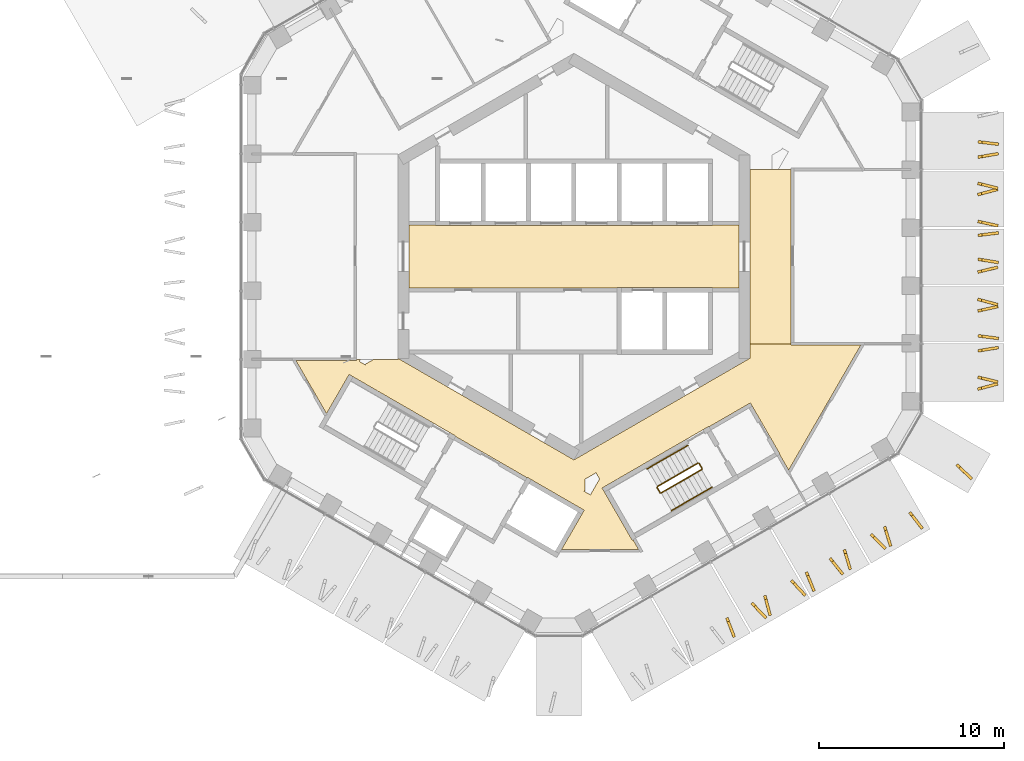
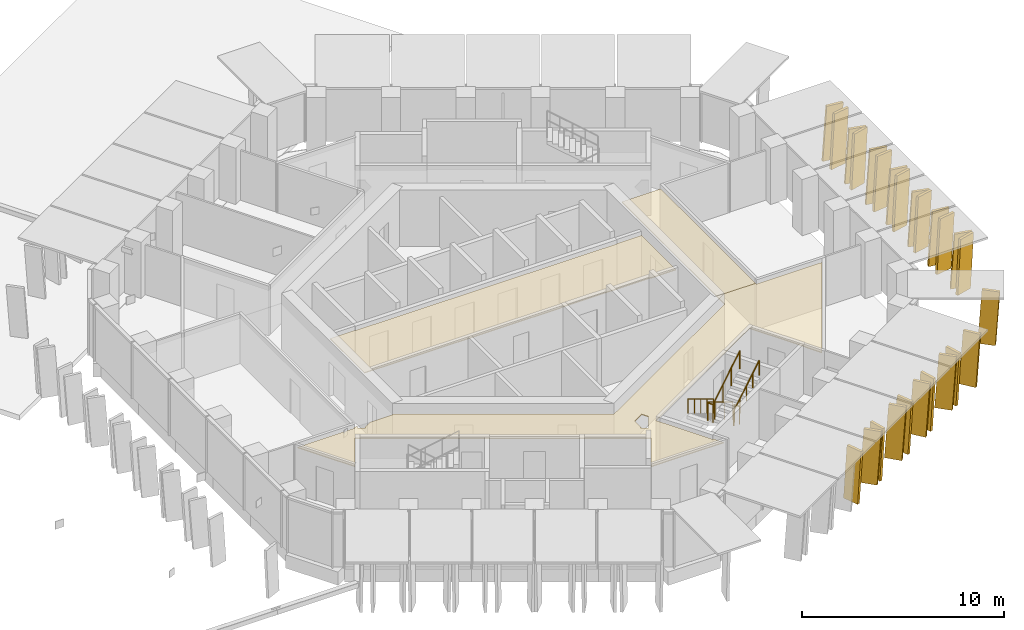
# One storey, part 21 of 23: 25 shading devices, 8 railings, 3 coverings.
"""IFC4 building model written with IfcOpenShell, lengths in metres."""

from ifc_helpers import new_model, si_unit, direction, frame, origin, origin_2d, place, context, subcontext, project, spatial, polyline, circle, outline, extrude, material, layer, layer_set, type_object, element, save


model = new_model("IFC4")

# Units and contexts
model_context = context("Model", 3, precision=1e-05, world=origin(), true_north=direction((0.0, 1.0)))
body_context = subcontext(model_context, "Body", "Model", "MODEL_VIEW")
ifc_project = project(units=[si_unit("LENGTHUNIT", "METRE"), si_unit("AREAUNIT", "SQUARE_METRE"), si_unit("VOLUMEUNIT", "CUBIC_METRE"), si_unit("PLANEANGLEUNIT", "RADIAN"), si_unit("MASSUNIT", "GRAM", prefix="KILO")], contexts=[model_context])

# Site, building, storey
site_placement = place(None, origin())
site = spatial("IfcSite", under=ifc_project, at=site_placement, CompositionType="ELEMENT")
building_placement = place(site_placement, origin())
building = spatial("IfcBuilding", under=site, at=building_placement, Name="Ayvan Gate Tower", CompositionType="ELEMENT")
storey_placement = place(building_placement, frame((0.0, 0.0, 198.699951171875)))
storey = spatial("IfcBuildingStorey", under=building, at=storey_placement, Name="L53", CompositionType="ELEMENT", Elevation=198.699951171875)

# Shading devices
ifc_material_1 = material(Name="Bronze anodised aluminium", Category="aluminium")
ifc_layer_1 = layer(ifc_material_1, 0.14990234375)
ifc_layer_set_1 = layer_set([ifc_layer_1], Name="Bronze anodised aluminium")
shading_device_type = type_object("IfcShadingDeviceType", Name="Bronze fin 900 x 150", PredefinedType="USERDEFINED", material=ifc_layer_set_1)
shading_device_1_placement = place(storey_placement, frame((8.18310546875, -19.52197265625, 0.0), z_axis=(-0.932998953199, -0.359878776219, 0.000468781694), x_axis=(0.359878815736, -0.932999055725, -5.9332e-08)))
element("IfcShadingDevice", 1, at=shading_device_1_placement, inside=storey, type_object=shading_device_type, Name="Bronze fin FG19.7.54", ObjectType="FIN", PredefinedType="USERDEFINED", context=body_context, shape_type="SweptSolid", body=[
    extrude(outline(polyline([(0.0, 0.0), (0.899849380445683, -2.710505431213761e-20), (1.1140113460237815, 3.2800297233755704), (0.21407410453910045, 3.2800296165898692), (0.0, 0.0)])), origin(), (0.0, 0.0, -1.0), 0.14990234375),
])
shading_device_2_placement = place(storey_placement, frame((9.549560546875, -18.751220703125, 0.0), z_axis=(-0.72524652117, -0.688489123146, 0.000459174068), x_axis=(0.688489195712, -0.725246597639, -4.2875e-08)))
element("IfcShadingDevice", 2, at=shading_device_2_placement, inside=storey, type_object=shading_device_type, Name="Bronze fin FG19.7.55", ObjectType="FIN", PredefinedType="USERDEFINED", context=body_context, shape_type="SweptSolid", body=[
    extrude(outline(polyline([(0.0, 0.0), (0.9000720167981918, 0.0), (1.1139957126169806, 3.2800296904200104), (0.2141007579764156, 3.2800296132458677), (0.0, 0.0)])), origin(), (0.0, 0.0, -1.0), 0.14990234375),
])
shading_device_3_placement = place(storey_placement, frame((10.22998046875, -18.3095703125, 0.0), z_axis=(-0.965851017718, -0.259097674697, 0.000454466097), x_axis=(0.259097701454, -0.965851117461, 0.0)))
element("IfcShadingDevice", 3, at=shading_device_3_placement, inside=storey, type_object=shading_device_type, Name="Bronze fin FG19.7.56", ObjectType="FIN", PredefinedType="USERDEFINED", context=body_context, shape_type="SweptSolid", body=[
    extrude(outline(polyline([(0.0, 0.0), (0.8998701862917042, 1.3552527156068805e-20), (1.1138628519883802, 3.280029635602748), (0.2139926656966759, 3.280029635602748), (0.0, 0.0)])), origin(), (0.0, 0.0, -1.0), 0.14990234375),
])
shading_device_4_placement = place(storey_placement, frame((11.67724609375, -17.5244140625, 0.0), z_axis=(-0.733908318886, -0.679248357232, 0.000498665813), x_axis=(0.679248441669, -0.733908410151, -4.5937e-08)))
element("IfcShadingDevice", 4, at=shading_device_4_placement, inside=storey, type_object=shading_device_type, Name="Bronze fin FG19.7.57", ObjectType="FIN", PredefinedType="USERDEFINED", context=body_context, shape_type="SweptSolid", body=[
    extrude(outline(polyline([(0.0, 0.0), (0.900096253859261, 0.0), (1.1142552310005303, 3.2800297558787315), (0.2143381539992165, 3.2800296731921437), (0.0, 0.0)])), origin(), (0.0, 0.0, -1.0), 0.14990234375),
])
shading_device_5_placement = place(storey_placement, frame((12.471923828125, -17.050537109375, 0.0), z_axis=(-0.92552956391, -0.378675050181, 0.00048238757), x_axis=(0.37867509424, -0.925529671595, 0.0)))
element("IfcShadingDevice", 5, at=shading_device_5_placement, inside=storey, type_object=shading_device_type, Name="Bronze fin FG19.7.58", ObjectType="FIN", PredefinedType="USERDEFINED", context=body_context, shape_type="SweptSolid", body=[
    extrude(outline(polyline([(0.0, 0.0), (0.9000336110938485, 0.0), (1.1140828508822493, 3.2800296785028142), (0.21404923978840082, 3.2800296785028142), (0.0, 0.0)])), origin(), (0.0, 0.0, -1.0), 0.14990234375),
])
shading_device_6_placement = place(storey_placement, frame((13.763427734375, -16.3271484375, 0.0), z_axis=(-0.780113946551, -0.625637280153, 0.000473369476), x_axis=(0.625637350268, -0.78011403394, 5.008e-08)))
element("IfcShadingDevice", 6, at=shading_device_6_placement, inside=storey, type_object=shading_device_type, Name="Bronze fin FG19.7.59", ObjectType="FIN", PredefinedType="USERDEFINED", context=body_context, shape_type="SweptSolid", body=[
    extrude(outline(polyline([(0.0, 0.0), (0.9001350900094685, 0.0), (1.1141135252136445, 3.2800296085730114), (0.21413117869789378, 3.2800296987221422), (0.0, 0.0)])), origin(), (0.0, 0.0, -1.0), 0.14990234375),
])
shading_device_7_placement = place(storey_placement, frame((14.525146484375, -15.838623046875, 0.0), z_axis=(-0.958339793561, -0.285630286618, 0.000423608238), x_axis=(0.285630312245, -0.958339879545, 0.0)))
element("IfcShadingDevice", 7, at=shading_device_7_placement, inside=storey, type_object=shading_device_type, Name="Bronze fin FG19.7.60", ObjectType="FIN", PredefinedType="USERDEFINED", context=body_context, shape_type="SweptSolid", body=[
    extrude(outline(polyline([(0.0, 0.0), (0.9000448030340307, 0.0), (1.1141972734620562, 3.280029591165729), (0.21415247042802554, 3.280029591165729), (0.0, 0.0)])), origin(), (0.0, 0.0, -1.0), 0.14990234375),
])
shading_device_8_placement = place(storey_placement, frame((15.983154296875, -15.032470703125, 0.0), z_axis=(-0.707242301536, -0.706971067672, 0.000486202096), x_axis=(0.706971151201, -0.707242385162, -9.3249e-08)))
element("IfcShadingDevice", 8, at=shading_device_8_placement, inside=storey, type_object=shading_device_type, Name="Bronze fin FG19.7.61", ObjectType="FIN", PredefinedType="USERDEFINED", context=body_context, shape_type="SweptSolid", body=[
    extrude(outline(polyline([(0.0, 0.0), (0.9001110743486567, -8.131516293641283e-20), (1.114175962915666, 3.2800297884583833), (0.214064954786238, 3.280029620588862), (0.0, 0.0)])), origin(), (0.0, 0.0, -1.0), 0.14990234375),
])
shading_device_9_placement = place(storey_placement, frame((16.695068359375, -14.589111328125, 0.0), z_axis=(-0.955373312656, -0.295400777252, 0.000462886347), x_axis=(0.295400808899, -0.955373415007, 0.0)))
element("IfcShadingDevice", 9, at=shading_device_9_placement, inside=storey, type_object=shading_device_type, Name="Bronze fin FG19.7.62", ObjectType="FIN", PredefinedType="USERDEFINED", context=body_context, shape_type="SweptSolid", body=[
    extrude(outline(polyline([(0.0, 0.0), (0.9000284786486996, -1.3552527156068805e-20), (1.1141333100217334, 3.2800296482707783), (0.21410483137303388, 3.2800296482707783), (0.0, 0.0)])), origin(), (0.0, 0.0, -1.0), 0.14990234375),
])
shading_device_10_placement = place(storey_placement, frame((18.064697265625, -13.844970703125, 0.0), z_axis=(-0.791189438133, -0.611570985443, 0.000450279574), x_axis=(0.611571047441, -0.79118951834, 0.0)))
element("IfcShadingDevice", 10, at=shading_device_10_placement, inside=storey, type_object=shading_device_type, Name="Bronze fin FG19.7.63", ObjectType="FIN", PredefinedType="USERDEFINED", context=body_context, shape_type="SweptSolid", body=[
    extrude(outline(polyline([(0.0, 0.0), (0.8998021915070792, 2.710505431213761e-20), (1.1138599806478382, 3.2800296293908002), (0.21405778914075893, 3.2800296293908002), (0.0, 0.0)])), origin(), (0.0, 0.0, -1.0), 0.14990234375),
])
shading_device_11_placement = place(storey_placement, frame((20.6083984375, -11.284423828125, 0.0), z_axis=(-0.685910218843, -0.727686043918, 0.000439516514), x_axis=(0.727686114202, -0.685910285094, -2.49e-09)))
element("IfcShadingDevice", 11, at=shading_device_11_placement, inside=storey, type_object=shading_device_type, Name="Bronze fin FG19.8.64", ObjectType="FIN", PredefinedType="USERDEFINED", context=body_context, shape_type="SweptSolid", body=[
    extrude(outline(polyline([(0.0, 0.0), (0.9001584363785244, 2.710505431213761e-20), (1.1141874627618764, 3.2800296164587674), (0.21437414269177385, 3.28002961197692), (0.0, 0.0)])), origin(), (0.0, 0.0, -1.0), 0.14990234375),
])
shading_device_12_placement = place(storey_placement, frame((21.813232421875, -7.228271484375, 0.0), z_axis=(0.257696390104, -0.96622583321, 0.000458001286), x_axis=(0.96622593455, 0.257696417132, 0.0)))
element("IfcShadingDevice", 12, at=shading_device_12_placement, inside=storey, type_object=shading_device_type, Name="Bronze fin FG19.9.65", ObjectType="FIN", PredefinedType="USERDEFINED", context=body_context, shape_type="SweptSolid", body=[
    extrude(outline(polyline([(0.0, 0.0), (0.9000264587751636, 0.0), (1.1141897179070135, 3.2800296408930185), (0.2141632591318498, 3.2800296408930185), (0.0, 0.0)])), origin(), (0.0, 0.0, -1.0), 0.14990234375),
])
shading_device_13_placement = place(storey_placement, frame((21.78076171875, -6.576904296875, 0.0), z_axis=(-0.23681876856, -0.971553745244, 0.000436990132), x_axis=(0.971553838007, -0.236818791178, -1.4038e-08)))
element("IfcShadingDevice", 13, at=shading_device_13_placement, inside=storey, type_object=shading_device_type, Name="Bronze fin FG19.9.66", ObjectType="FIN", PredefinedType="USERDEFINED", context=body_context, shape_type="SweptSolid", body=[
    extrude(outline(polyline([(0.0, 0.0), (0.8998723385252337, 0.0), (1.114116524284472, 3.280029625693248), (0.2140069899980061, 3.2800296004244216), (0.0, 0.0)])), origin(), (0.0, 0.0, -1.0), 0.14990234375),
])
shading_device_14_placement = place(storey_placement, frame((21.823974609375, -5.159912109375, 0.0), z_axis=(0.158281419915, -0.987393947713, 0.000429102882), x_axis=(0.987394038621, 0.158281434463, -5.7467e-08)))
element("IfcShadingDevice", 14, at=shading_device_14_placement, inside=storey, type_object=shading_device_type, Name="Bronze fin FG19.9.67", ObjectType="FIN", PredefinedType="USERDEFINED", context=body_context, shape_type="SweptSolid", body=[
    extrude(outline(polyline([(0.0, 0.0), (0.8999981388848749, 0.0), (1.1141206680186524, 3.280029662875214), (0.21408388620544175, 3.2800295594321662), (0.0, 0.0)])), origin(), (0.0, 0.0, -1.0), 0.14990234375),
])
shading_device_15_placement = place(storey_placement, frame((21.80615234375, -4.3486328125, 0.0), z_axis=(-0.129107256791, -0.991630526952, 0.000462884036), x_axis=(0.991630633186, -0.129107270623, 0.0)))
element("IfcShadingDevice", 15, at=shading_device_15_placement, inside=storey, type_object=shading_device_type, Name="Bronze fin FG19.9.68", ObjectType="FIN", PredefinedType="USERDEFINED", context=body_context, shape_type="SweptSolid", body=[
    extrude(outline(polyline([(0.0, 0.0), (0.9001114882186232, -6.776263578034403e-21), (1.1141088341239518, 3.2800296482672695), (0.21399734590532846, 3.2800296482672695), (0.0, 0.0)])), origin(), (0.0, 0.0, -1.0), 0.14990234375),
])
shading_device_16_placement = place(storey_placement, frame((21.81884765625, -3.0087890625, 0.0), z_axis=(0.217016604497, -0.976167814102, 0.000438273392), x_axis=(0.976167907854, 0.217016625345, 1.2902e-08)))
element("IfcShadingDevice", 16, at=shading_device_16_placement, inside=storey, type_object=shading_device_type, Name="Bronze fin FG19.9.69", ObjectType="FIN", PredefinedType="USERDEFINED", context=body_context, shape_type="SweptSolid", body=[
    extrude(outline(polyline([(0.0, 0.0), (0.8998694904136588, 0.0), (1.114019635219736, 3.2800295975214433), (0.21391182256294877, 3.280029620745371), (0.0, 0.0)])), origin(), (0.0, 0.0, -1.0), 0.14990234375),
])
shading_device_17_placement = place(storey_placement, frame((21.7744140625, -2.37646484375, 0.0), z_axis=(-0.257823008953, -0.966192065114, 0.000435160718), x_axis=(0.966192156602, -0.25782303334, 5.7025e-08)))
element("IfcShadingDevice", 17, at=shading_device_17_placement, inside=storey, type_object=shading_device_type, Name="Bronze fin FG19.9.70", ObjectType="FIN", PredefinedType="USERDEFINED", context=body_context, shape_type="SweptSolid", body=[
    extrude(outline(polyline([(0.0, 0.0), (0.9000264510472586, -4.0657581468206416e-20), (1.114205356676855, 3.280029543898225), (0.21411596055309734, 3.280029646550465), (0.0, 0.0)])), origin(), (0.0, 0.0, -1.0), 0.14990234375),
])
shading_device_18_placement = place(storey_placement, frame((21.816162109375, -0.908935546875, 0.0), z_axis=(0.23761801561, -0.97135857751, 0.000438810742), x_axis=(0.97135867103, 0.237618038487, 0.0)))
element("IfcShadingDevice", 18, at=shading_device_18_placement, inside=storey, type_object=shading_device_type, Name="Bronze fin FG19.9.71", ObjectType="FIN", PredefinedType="USERDEFINED", context=body_context, shape_type="SweptSolid", body=[
    extrude(outline(polyline([(0.0, 0.0), (0.9000460944027884, -1.3552527156068805e-20), (1.1140366048060852, 3.280029612667849), (0.21399051040329684, 3.280029612667849), (0.0, 0.0)])), origin(), (0.0, 0.0, -1.0), 0.14990234375),
])
shading_device_19_placement = place(storey_placement, frame((21.799072265625, -0.214599609375, 0.0), z_axis=(-0.163431170817, -0.986554636121, 0.000449837189), x_axis=(0.986554735933, -0.16343118738, -6.0189e-08)))
element("IfcShadingDevice", 19, at=shading_device_19_placement, inside=storey, type_object=shading_device_type, Name="Bronze fin FG19.9.72", ObjectType="FIN", PredefinedType="USERDEFINED", context=body_context, shape_type="SweptSolid", body=[
    extrude(outline(polyline([(0.0, 0.0), (0.9000606886176659, 0.0), (1.1143507814130873, 3.2800296958090542), (0.21432999298765287, 3.2800295874645298), (0.0, 0.0)])), origin(), (0.0, 0.0, -1.0), 0.14990234375),
])
shading_device_20_placement = place(storey_placement, frame((21.82568359375, 1.071533203125, 0.0), z_axis=(0.121663900113, -0.9925712609, 0.000432949293), x_axis=(0.992571353923, 0.121663911541, 5.8286e-08)))
element("IfcShadingDevice", 20, at=shading_device_20_placement, inside=storey, type_object=shading_device_type, Name="Bronze fin FG19.9.73", ObjectType="FIN", PredefinedType="USERDEFINED", context=body_context, shape_type="SweptSolid", body=[
    extrude(outline(polyline([(0.0, 0.0), (0.9000111524136161, -6.776263578034403e-21), (1.1141625730854818, 3.280029539348159), (0.21418112377526918, 3.280029644261727), (0.0, 0.0)])), origin(), (0.0, 0.0, -1.0), 0.14990234375),
])
shading_device_21_placement = place(storey_placement, frame((21.78759765625, 1.825927734375, 0.0), z_axis=(-0.21213116853, -0.977241092874, 0.000462315703), x_axis=(0.977241197309, -0.212131191206, -1.3304e-08)))
element("IfcShadingDevice", 21, at=shading_device_21_placement, inside=storey, type_object=shading_device_type, Name="Bronze fin FG19.9.74", ObjectType="FIN", PredefinedType="USERDEFINED", context=body_context, shape_type="SweptSolid", body=[
    extrude(outline(polyline([(0.0, 0.0), (0.8998802207591221, 0.0), (1.1141462422854302, 3.280029662227048), (0.21402743724962126, 3.280029638280617), (0.0, 0.0)])), origin(), (0.0, 0.0, -1.0), 0.14990234375),
])
shading_device_22_placement = place(storey_placement, frame((21.8134765625, 3.271240234375, 0.0), z_axis=(0.257029412357, -0.966403463348, 0.000476667928), x_axis=(0.966403573128, 0.257029441594, 7.9106e-08)))
element("IfcShadingDevice", 22, at=shading_device_22_placement, inside=storey, type_object=shading_device_type, Name="Bronze fin FG19.9.75", ObjectType="FIN", PredefinedType="USERDEFINED", context=body_context, shape_type="SweptSolid", body=[
    extrude(outline(polyline([(0.0, 0.0), (0.8999007417265055, 1.3552527156068805e-20), (1.114000421088919, 3.2800295813820433), (0.21392649231858202, 3.2800297237715443), (0.0, 0.0)])), origin(), (0.0, 0.0, -1.0), 0.14990234375),
])
shading_device_23_placement = place(storey_placement, frame((21.779541015625, 3.882568359375, 0.0), z_axis=(-0.241163022959, -0.970484493402, 0.000494391956), x_axis=(0.970484612005, -0.241163052439, -1.6174e-08)))
element("IfcShadingDevice", 23, at=shading_device_23_placement, inside=storey, type_object=shading_device_type, Name="Bronze fin FG19.9.76", ObjectType="FIN", PredefinedType="USERDEFINED", context=body_context, shape_type="SweptSolid", body=[
    extrude(outline(polyline([(0.0, 0.0), (0.8998577662987801, 0.0), (1.1140329573368788, 3.2800297157514477), (0.21393825631837082, 3.280029686638955), (0.0, 0.0)])), origin(), (0.0, 0.0, -1.0), 0.14990234375),
])
shading_device_24_placement = place(storey_placement, frame((21.8232421875, 5.29345703125, 0.0), z_axis=(0.168312518058, -0.985733586822, 0.000438264978), x_axis=(0.985733681494, 0.168312534197, -5.8594e-08)))
element("IfcShadingDevice", 24, at=shading_device_24_placement, inside=storey, type_object=shading_device_type, Name="Bronze fin FG19.9.77", ObjectType="FIN", PredefinedType="USERDEFINED", context=body_context, shape_type="SweptSolid", body=[
    extrude(outline(polyline([(0.0, 0.0), (0.9000268480840318, 1.3552527156068805e-20), (1.1142830111384794, 3.2800296771727866), (0.2142150711271535, 3.280029571698565), (0.0, 0.0)])), origin(), (0.0, 0.0, -1.0), 0.14990234375),
])
shading_device_25_placement = place(storey_placement, frame((21.807861328125, 6.122314453125, 0.0), z_axis=(-0.119893901499, -0.992786605169, 0.000457142858), x_axis=(0.992786708906, -0.119893914026, 0.0)))
element("IfcShadingDevice", 25, at=shading_device_25_placement, inside=storey, type_object=shading_device_type, Name="Bronze fin FG19.9.78", ObjectType="FIN", PredefinedType="USERDEFINED", context=body_context, shape_type="SweptSolid", body=[
    extrude(outline(polyline([(0.0, 0.0), (0.9000469884262278, 6.776263578034403e-21), (1.1140574183445169, 3.280029639604647), (0.21401042991828903, 3.280029639604647), (0.0, 0.0)])), origin(), (0.0, 0.0, -1.0), 0.14990234375),
])

# Coverings
ifc_material_2 = material(Name="Plasterboard suspended ceiling")
ifc_layer_2 = layer(ifc_material_2, 0.050048828125)
ifc_layer_set_2 = layer_set([ifc_layer_2], Name="Plasterboard suspended ceiling")
covering_type = type_object("IfcCoveringType", Name="CT-SUSP-50", PredefinedType="CEILING", material=ifc_layer_set_2)
covering_1_placement = place(storey_placement, frame((0.0, 0.0, 2.699951171875)))
element("IfcCovering", 26, at=covering_1_placement, inside=storey, type_object=covering_type, Name="Ceiling Lift Lobby L53", PredefinedType="CEILING", context=body_context, shape_type="SweptSolid", body=[
    extrude(outline(polyline([(7.47509765625, -1.675048828125), (2.324951171875, -1.675048828125), (2.324951171875, -1.699951171875), (-8.89990234375, -1.699951171875), (-8.89990234375, 1.699951171875), (-7.47509765625, 1.699951171875), (-7.47509765625, 1.675048828125), (7.47509765625, 1.675048828125), (7.47509765625, 1.699951171875), (8.89990234375, 1.699951171875), (8.89990234375, -1.699951171875), (7.47509765625, -1.699951171875), (7.47509765625, -1.675048828125)])), origin(), (0.0, 0.0, 1.0), 0.050048828125),
])
covering_2_placement = place(storey_placement, frame((0.0, 0.0, 2.699951171875)))
element("IfcCovering", 27, at=covering_2_placement, inside=storey, type_object=covering_type, Name="Ceiling Gallery L53", PredefinedType="CEILING", context=body_context, shape_type="SweptSolid", body=[
    extrude(outline(polyline([(-11.914794921875, -6.48681640625), (-12.131103515625, -6.36181640625), (-13.349609375, -8.472412109375), (-15.0, -5.614013671875), (-11.724853515625, -5.614013671875), (-11.724853515625, -5.538818359375), (-11.51171875, -5.538818359375), (-11.580322265625, -5.65771484375), (-11.2294921875, -5.8603515625), (-11.259765625, -5.80810546875), (-10.793701171875, -5.538818359375), (-9.5, -5.538818359375), (-9.5, -5.48486328125), (0.0, -10.9697265625), (8.38720703125, -6.127197265625), (9.5, -5.48486328125), (9.5, -4.70458984375), (11.724853515625, -4.70458984375), (11.724853515625, -4.779541015625), (15.481689453125, -4.779541015625), (11.5888671875, -11.522216796875), (11.102294921875, -10.6796875), (11.123779296875, -10.667236328125), (9.623779296875, -8.069091796875), (9.52392578125, -7.89599609375), (7.2939453125, -9.183349609375), (7.281494140625, -9.16162109375), (1.522216796875, -12.48681640625), (1.647216796875, -12.703369140625), (3.147216796875, -15.30126953125), (3.190673828125, -15.2763671875), (3.491455078125, -15.79736328125), (-0.662353515625, -15.79736328125), (0.43115234375, -13.9033203125), (0.55615234375, -13.686767578125), (-2.284423828125, -12.046630859375), (-2.518310546875, -11.91162109375), (-2.53076171875, -11.933349609375), (-6.384521484375, -9.70849609375), (-6.3720703125, -9.686767578125), (-11.91455078125, -6.48681640625), (-11.914794921875, -6.48681640625)]), holes=[polyline([(0.53955078125, -12.6552734375), (0.890380859375, -12.85791015625), (1.385498046875, -12.0), (1.193115234375, -11.66650390625), (0.60009765625, -12.0087890625), (0.60009765625, -12.6552734375), (0.53955078125, -12.6552734375)])]), origin(), (0.0, 0.0, 1.0), 0.050048828125),
])
covering_3_placement = place(storey_placement, frame((0.0, 0.0, 2.699951171875)))
element("IfcCovering", 28, at=covering_3_placement, inside=storey, type_object=covering_type, Name="Ceiling Lift Lounge Lobby L53", PredefinedType="CEILING", context=body_context, shape_type="SweptSolid", body=[
    extrude(outline(polyline([(11.724853515625, -4.70458984375), (9.5, -4.70458984375), (9.5, 4.70458984375), (11.72509765625, 4.70458984375), (11.72509765625, -4.62939453125), (11.724853515625, -4.62939453125), (11.724853515625, -4.70458984375)])), origin(), (0.0, 0.0, 1.0), 0.050048828125),
])

# Railings
ifc_material_3 = material(Name="Stainless steel balustrade", Category="steel")
railing_type_1 = type_object("IfcRailingType", Name="RL-GUARD-1100", PredefinedType="GUARDRAIL", material=ifc_material_3)
railing_1_placement = place(storey_placement, frame((6.6923828125, -11.1416015625, 0.170166015625)))
element("IfcRailing", 29, at=railing_1_placement, inside=storey, type_object=railing_type_1, Name="L53 STS3 stair guard 1", PredefinedType="GUARDRAIL", context=body_context, shape_type="SweptSolid", body=[
    extrude(circle(Radius=0.02392578125, at=origin_2d()), frame((0.0, 0.0, 1.076171875), z_axis=(-0.740292969978, -0.427413806696, 0.51892557891), x_axis=(0.500004791531, -0.866022637375, 0.0)), (0.0, 0.0, 1.0), 2.947998046875),
    extrude(circle(Radius=0.02099609375, at=origin_2d()), origin(), (0.0, 0.0, 1.0), 1.052001953125),
    extrude(circle(Radius=0.02099609375, at=origin_2d()), frame((-0.7275390625, -0.419921875, 0.510009765625)), (0.0, 0.0, 1.0), 1.052001953125),
    extrude(circle(Radius=0.02099609375, at=origin_2d()), frame((-1.454833984375, -0.840087890625, 1.019775390625)), (0.0, 0.0, 1.0), 1.052001953125),
    extrude(circle(Radius=0.02099609375, at=origin_2d()), frame((-2.182373046875, -1.260009765625, 1.52978515625)), (0.0, 0.0, 1.0), 1.052001953125),
])
railing_2_placement = place(storey_placement, frame((4.49169921875, -12.4697265625, 1.699951171875)))
element("IfcRailing", 30, at=railing_2_placement, inside=storey, type_object=railing_type_1, Name="L53 STS3 stair guard 2", PredefinedType="GUARDRAIL", context=body_context, shape_type="SweptSolid", body=[
    extrude(circle(Radius=0.02392578125, at=origin_2d()), frame((0.0, 0.0, 1.076171875), z_axis=(0.499949632511, -0.866054481515, 0.0), x_axis=(0.866054481515, 0.499949632511, 0.0)), (0.0, 0.0, 1.0), 0.31005859375),
    extrude(circle(Radius=0.02099609375, at=origin_2d()), origin(), (0.0, 0.0, 1.0), 1.052001953125),
    extrude(circle(Radius=0.02099609375, at=origin_2d()), frame((0.155029296875, -0.2685546875, 0.0)), (0.0, 0.0, 1.0), 1.052001953125),
])
railing_3_placement = place(storey_placement, frame((4.715087890625, -12.756591796875, 1.8701171875)))
element("IfcRailing", 31, at=railing_3_placement, inside=storey, type_object=railing_type_1, Name="L53 STS3 stair guard 3", PredefinedType="GUARDRAIL", context=body_context, shape_type="SweptSolid", body=[
    extrude(circle(Radius=0.02392578125, at=origin_2d()), frame((0.0, 0.0, 1.076171875), z_axis=(0.740261155115, 0.427395438142, 0.518986090067), x_axis=(-0.500004791531, 0.866022637375, 0.0)), (0.0, 0.0, 1.0), 2.947998046875),
    extrude(circle(Radius=0.02099609375, at=origin_2d()), origin(), (0.0, 0.0, 1.0), 1.052001953125),
    extrude(circle(Radius=0.02099609375, at=origin_2d()), frame((0.7275390625, 0.419921875, 0.510009765625)), (0.0, 0.0, 1.0), 1.052001953125),
    extrude(circle(Radius=0.02099609375, at=origin_2d()), frame((1.454833984375, 0.840087890625, 1.02001953125)), (0.0, 0.0, 1.0), 1.052001953125),
    extrude(circle(Radius=0.02099609375, at=origin_2d()), frame((2.182373046875, 1.260009765625, 1.530029296875)), (0.0, 0.0, 1.0), 1.052001953125),
])
railing_4_placement = place(storey_placement, frame((6.7607421875, -11.159912109375, 0.0)))
element("IfcRailing", 32, at=railing_4_placement, inside=storey, type_object=railing_type_1, Name="L53 STS3 stair guard 4", PredefinedType="GUARDRAIL", context=body_context, shape_type="SweptSolid", body=[
    extrude(circle(Radius=0.02392578125, at=origin_2d()), frame((0.0, 0.0, 1.076171875), z_axis=(0.500290723946, -0.86585748916, 0.0), x_axis=(0.86585748916, 0.500290723946, 0.0)), (0.0, 0.0, 1.0), 0.309814453125),
    extrude(circle(Radius=0.02099609375, at=origin_2d()), origin(), (0.0, 0.0, 1.0), 1.052001953125),
    extrude(circle(Radius=0.02099609375, at=origin_2d()), frame((0.155029296875, -0.268310546875, 0.0)), (0.0, 0.0, 1.0), 1.052001953125),
])
railing_type_2 = type_object("IfcRailingType", Name="RL-HANDRAIL-900", PredefinedType="HANDRAIL", material=ifc_material_3)
railing_5_placement = place(storey_placement, frame((6.142333984375, -10.18896484375, 0.170166015625)))
element("IfcRailing", 33, at=railing_5_placement, inside=storey, type_object=railing_type_2, Name="L53 STS3 stair handrail 1", PredefinedType="HANDRAIL", context=body_context, shape_type="SweptSolid", body=[
    extrude(circle(Radius=0.02392578125, at=origin_2d()), frame((0.0, 0.0, 0.8759765625), z_axis=(-0.740281741151, -0.427372318678, 0.518975765278), x_axis=(0.499974077718, -0.866040369504, 0.0)), (0.0, 0.0, 1.0), 1.473876953125),
    extrude(circle(Radius=0.02099609375, at=origin_2d()), origin(), (0.0, 0.0, 1.0), 0.851806640625),
    extrude(circle(Radius=0.02099609375, at=origin_2d()), frame((-0.54541015625, -0.31494140625, 0.38232421875)), (0.0, 0.0, 1.0), 0.851806640625),
    extrude(circle(Radius=0.02099609375, at=origin_2d()), frame((-1.091064453125, -0.6298828125, 0.764892578125)), (0.0, 0.0, 1.0), 0.851806640625),
])
railing_6_placement = place(storey_placement, frame((5.05126953125, -10.81884765625, 0.93505859375)))
element("IfcRailing", 34, at=railing_6_placement, inside=storey, type_object=railing_type_2, Name="L53 STS3 stair handrail 2", PredefinedType="HANDRAIL", context=body_context, shape_type="SweptSolid", body=[
    extrude(circle(Radius=0.02392578125, at=origin_2d()), frame((0.0, 0.0, 0.8759765625), z_axis=(-0.740304193401, -0.427455284825, 0.518875399983), x_axis=(0.500035496587, -0.86600490885, 0.0)), (0.0, 0.0, 1.0), 1.47412109375),
    extrude(circle(Radius=0.02099609375, at=origin_2d()), origin(), (0.0, 0.0, 1.0), 0.851806640625),
    extrude(circle(Radius=0.02099609375, at=origin_2d()), frame((-0.545654296875, -0.31494140625, 0.38232421875)), (0.0, 0.0, 1.0), 0.851806640625),
    extrude(circle(Radius=0.02099609375, at=origin_2d()), frame((-1.09130859375, -0.630126953125, 0.764892578125)), (0.0, 0.0, 1.0), 0.851806640625),
])
railing_7_placement = place(storey_placement, frame((5.264892578125, -13.709228515625, 1.8701171875)))
element("IfcRailing", 35, at=railing_7_placement, inside=storey, type_object=railing_type_2, Name="L53 STS3 stair handrail 3", PredefinedType="HANDRAIL", context=body_context, shape_type="SweptSolid", body=[
    extrude(circle(Radius=0.02392578125, at=origin_2d()), frame((0.0, 0.0, 0.8759765625), z_axis=(0.740304193401, 0.427455284825, 0.518875399983), x_axis=(-0.500035496587, 0.86600490885, 0.0)), (0.0, 0.0, 1.0), 1.47412109375),
    extrude(circle(Radius=0.02099609375, at=origin_2d()), origin(), (0.0, 0.0, 1.0), 0.851806640625),
    extrude(circle(Radius=0.02099609375, at=origin_2d()), frame((0.545654296875, 0.31494140625, 0.38232421875)), (0.0, 0.0, 1.0), 0.851806640625),
    extrude(circle(Radius=0.02099609375, at=origin_2d()), frame((1.09130859375, 0.630126953125, 0.764892578125)), (0.0, 0.0, 1.0), 0.851806640625),
])
railing_8_placement = place(storey_placement, frame((6.356201171875, -13.0791015625, 2.635009765625)))
element("IfcRailing", 36, at=railing_8_placement, inside=storey, type_object=railing_type_2, Name="L53 STS3 stair handrail 4", PredefinedType="HANDRAIL", context=body_context, shape_type="SweptSolid", body=[
    extrude(circle(Radius=0.02392578125, at=origin_2d()), frame((0.0, 0.0, 0.8759765625), z_axis=(0.740218099111, 0.427335577468, 0.519096782863), x_axis=(-0.499974077718, 0.866040369504, 0.0)), (0.0, 0.0, 1.0), 1.473876953125),
    extrude(circle(Radius=0.02099609375, at=origin_2d()), origin(), (0.0, 0.0, 1.0), 0.851806640625),
    extrude(circle(Radius=0.02099609375, at=origin_2d()), frame((0.54541015625, 0.31494140625, 0.382568359375)), (0.0, 0.0, 1.0), 0.851806640625),
    extrude(circle(Radius=0.02099609375, at=origin_2d()), frame((1.091064453125, 0.6298828125, 0.76513671875)), (0.0, 0.0, 1.0), 0.851806640625),
])

save(model, "model.ifc")
